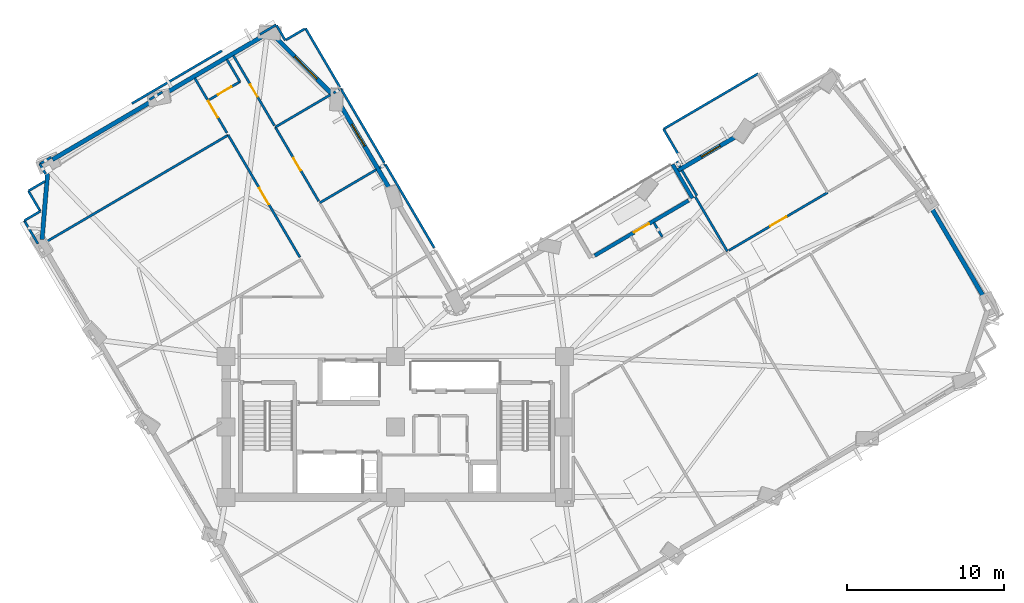
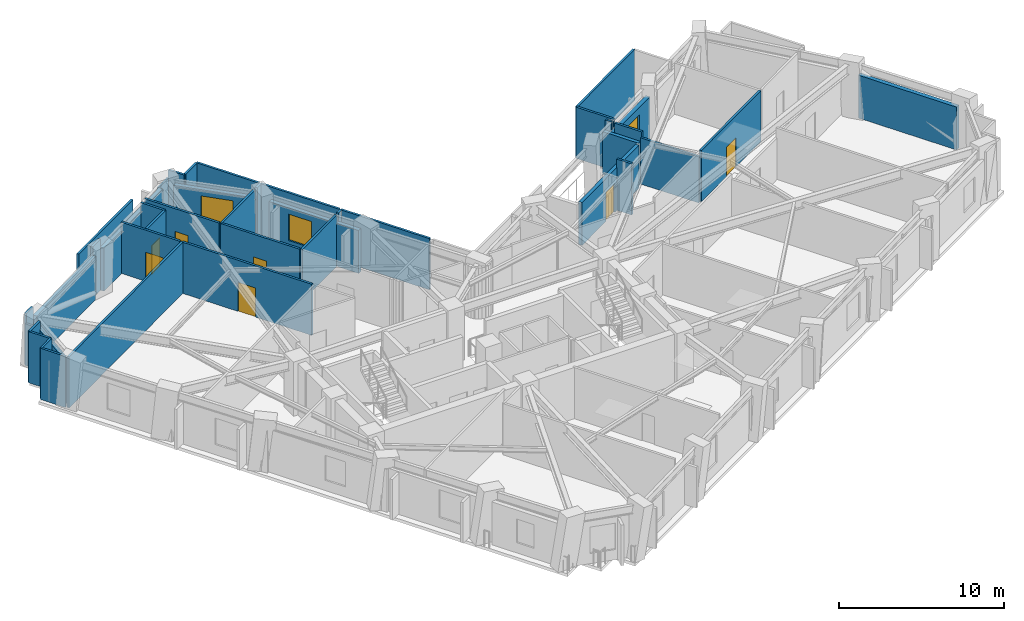
# One storey, part 7 of 12: 41 walls, 7 doors, 3 windows, 10 openings.
"""IFC4 building model written with IfcOpenShell, lengths in metres."""

from ifc_helpers import new_model, si_unit, direction, frame, frame_2d, origin, place, context, subcontext, project, spatial, rectangle, extrude, material, layer, layer_set, type_object, element, fill, save


model = new_model("IFC4")

# Units and contexts
model_context = context("Model", 3, precision=1e-05, world=origin(), true_north=direction((0.0, 1.0)))
body_context = subcontext(model_context, "Body", "Model", "MODEL_VIEW")
ifc_project = project(units=[si_unit("LENGTHUNIT", "METRE"), si_unit("AREAUNIT", "SQUARE_METRE"), si_unit("VOLUMEUNIT", "CUBIC_METRE"), si_unit("PLANEANGLEUNIT", "RADIAN"), si_unit("MASSUNIT", "GRAM", prefix="KILO")], contexts=[model_context])

# Site, building, storey
site_placement = place(None, origin())
site = spatial("IfcSite", under=ifc_project, at=site_placement, CompositionType="ELEMENT")
building_placement = place(site_placement, origin())
building = spatial("IfcBuilding", under=site, at=building_placement, Name="Gaonmaruhae Medical Tower", CompositionType="ELEMENT")
storey_placement = place(building_placement, frame((0.0, 0.0, 153.800048828125)))
storey = spatial("IfcBuildingStorey", under=building, at=storey_placement, Name="L36", CompositionType="ELEMENT", Elevation=153.800048828125)

# Wall, opening, door
ifc_material_1 = material(Name="Precast concrete C45/55", Category="concrete")
ifc_layer_1 = layer(ifc_material_1, 0.239990234375)
ifc_layer_set_1 = layer_set([ifc_layer_1], Name="Precast concrete C45/55")
wall_type_1 = type_object("IfcWallType", Name="EW-240 Ribbon & Shelter Insulated Precast Wall", PredefinedType="SOLIDWALL", material=ifc_layer_set_1)
wall_1_placement = place(storey_placement, frame((37.5068359375, 23.2197265625, 0.0), z_axis=(0.0, 0.0, 1.0), x_axis=(0.862517965363, 0.50602644143, 0.0)))
wall_1 = element("IfcWall", 1, at=wall_1_placement, inside=storey, type_object=wall_type_1, Name="L36 Recessed Terrace Enclosure Wall TERB", PredefinedType="SOLIDWALL", context=body_context, shape_type="SweptSolid", body=[
    extrude(rectangle(XDim=6.9599609375, YDim=0.239990234375, at=frame_2d((3.47998046875, 0.0))), origin(), (0.0, 0.0, 1.0), 3.1650390625),
])
opening_1_placement = place(wall_1_placement, frame((2.929931640625, 0.0, 0.0)))
opening_1 = element("IfcOpeningElement", 2, at=opening_1_placement, cuts=wall_1, Name="Opening TD-01", PredefinedType="OPENING", context=body_context, shape_type="SweptSolid", body=[
    extrude(rectangle(XDim=1.10009765625, YDim=2.14990234375, at=frame_2d((0.550048828125, 1.074951171875))), frame((0.0, 0.1298828125, 0.0), z_axis=(0.0, -1.0, 0.0), x_axis=(1.0, 0.0, 0.0)), (0.0, 0.0, 1.0), 0.260009765625),
])
ifc_material_2 = material(Name="Anodised aluminium and toughened safety glass", Category="aluminium")
door_type_1 = type_object("IfcDoorType", Name="TD-01 Terrace & Sky Garden Glazed Door 1100x2150", OperationType="NOTDEFINED", PredefinedType="DOOR", material=ifc_material_2)
door_1_placement = place(opening_1_placement, origin())
door_1 = element("IfcDoor", 3, at=door_1_placement, inside=storey, type_object=door_type_1, Name="L36 Outdoor Terrace Access Door SLB-L36-TER", OperationType="SINGLE_SWING_RIGHT", OverallHeight=2.14990234375, OverallWidth=1.10009765625, PredefinedType="DOOR", context=body_context, shape_type="SweptSolid", body=[
    extrude(rectangle(XDim=1.10009765625, YDim=2.14990234375, at=frame_2d((0.550048828125, 1.074951171875))), frame((0.0, 0.02490234375, 0.0), z_axis=(0.0, -1.0, 0.0), x_axis=(1.0, 0.0, 0.0)), (0.0, 0.0, 1.0), 0.050048828125),
])
fill(opening_1, door_1)

# Walls
wall_2_placement = place(storey_placement, frame((43.75146484375, 26.88330078125, 0.0), z_axis=(0.0, 0.0, 1.0), x_axis=(-0.506012674175, 0.862526042259, 0.0)))
element("IfcWall", 4, at=wall_2_placement, inside=storey, type_object=wall_type_1, Name="L36 Recessed Terrace Enclosure Wall TERR", PredefinedType="SOLIDWALL", context=body_context, shape_type="SweptSolid", body=[
    extrude(rectangle(XDim=2.500244140625, YDim=0.239990234375, at=frame_2d((1.25, 0.0))), origin(), (0.0, 0.0, 1.0), 3.1650390625),
])
ifc_layer_2 = layer(ifc_material_1, 0.280029296875)
ifc_layer_set_2 = layer_set([ifc_layer_2], Name="Precast concrete C45/55")
wall_type_2 = type_object("IfcWallType", Name="EW-280 Upper Precast Masonry-Frame Facade Wall", PredefinedType="SOLIDWALL", material=ifc_layer_set_2)
wall_3_placement = place(storey_placement, frame((58.879150390625, 26.47265625, 0.0), z_axis=(0.0, 0.0, 1.0), x_axis=(0.506019922132, -0.862521790105, 0.0)))
element("IfcWall", 5, at=wall_3_placement, inside=storey, type_object=wall_type_2, Name="L36 Precast Masonry-Frame Wall E01-E02", PredefinedType="SOLIDWALL", context=body_context, shape_type="SweptSolid", body=[
    extrude(rectangle(XDim=6.840087890625, YDim=0.280029296875, at=frame_2d((3.419921875, 0.0))), origin(), (0.0, 0.0, 1.0), 3.1650390625),
])

# Wall, opening, window
wall_4_placement = place(storey_placement, frame((42.76171875, 28.60986328125, 0.0), z_axis=(0.0, 0.0, 1.0), x_axis=(0.862502800913, 0.506052288224, 0.0)))
wall_4 = element("IfcWall", 6, at=wall_4_placement, inside=storey, type_object=wall_type_2, Name="L36 Precast Masonry-Frame Wall EN01-EN02", PredefinedType="SOLIDWALL", context=body_context, shape_type="SweptSolid", body=[
    extrude(rectangle(XDim=4.499267578125, YDim=0.280029296875, at=frame_2d((2.24951171875, 0.0))), origin(), (0.0, 0.0, 1.0), 3.14501953125),
])
opening_2_placement = place(wall_4_placement, frame((1.803466796875, 0.0, 0.75)))
opening_2 = element("IfcOpeningElement", 7, at=opening_2_placement, cuts=wall_4, Name="Opening WN-03", PredefinedType="OPENING", context=body_context, shape_type="SweptSolid", body=[
    extrude(rectangle(XDim=1.39990234375, YDim=1.85009765625, at=frame_2d((0.699951171875, 0.925048828125))), frame((0.0, 0.14990234375, 0.0), z_axis=(0.0, -1.0, 0.0), x_axis=(1.0, 0.0, 0.0)), (0.0, 0.0, 1.0), 0.300048828125),
])
ifc_material_3 = material(Name="Anodised aluminium and Low-E double glazing", Category="aluminium")
window_type_1 = type_object("IfcWindowType", Name="WN-03 Isolation Ward Punched Window 1400x1850", PartitioningType="SINGLE_PANEL", PredefinedType="WINDOW", material=ifc_material_3)
window_1_placement = place(opening_2_placement, origin())
window_1 = element("IfcWindow", 8, at=window_1_placement, inside=storey, type_object=window_type_1, Name="L36 Modular Facade Window EN01", OverallHeight=1.85009765625, OverallWidth=1.39990234375, PartitioningType="SINGLE_PANEL", PredefinedType="WINDOW", context=body_context, shape_type="SweptSolid", body=[
    extrude(rectangle(XDim=1.39990234375, YDim=1.85009765625, at=frame_2d((0.699951171875, 0.925048828125))), frame((0.0, 0.030029296875, 0.0), z_axis=(0.0, -1.0, 0.0), x_axis=(1.0, 0.0, 0.0)), (0.0, 0.0, 1.0), 0.06005859375),
])
fill(opening_2, window_1)

wall_5_placement = place(storey_placement, frame((24.489990234375, 27.3837890625, 0.0), z_axis=(0.0, 0.0, 1.0), x_axis=(-0.506018502958, 0.862522622697, 0.0)))
wall_5 = element("IfcWall", 9, at=wall_5_placement, inside=storey, type_object=wall_type_2, Name="L36 Precast Masonry-Frame Wall NE01-NE02", PredefinedType="SOLIDWALL", context=body_context, shape_type="SweptSolid", body=[
    extrude(rectangle(XDim=6.222900390625, YDim=0.280029296875, at=frame_2d((3.111328125, 0.0))), origin(), (0.0, 0.0, 1.0), 3.1650390625),
])
opening_3_placement = place(wall_5_placement, frame((3.27392578125, 0.0, 0.75)))
opening_3 = element("IfcOpeningElement", 10, at=opening_3_placement, cuts=wall_5, Name="Opening WN-01", PredefinedType="OPENING", context=body_context, shape_type="SweptSolid", body=[
    extrude(rectangle(XDim=1.60009765625, YDim=1.949951171875, at=frame_2d((0.800048828125, 0.97509765625))), frame((0.0, 0.14990234375, 0.0), z_axis=(0.0, -1.0, 0.0), x_axis=(1.0, 0.0, 0.0)), (0.0, 0.0, 1.0), 0.300048828125),
])
window_type_2 = type_object("IfcWindowType", Name="WN-01 Ward Punched Acoustic Window 1600x1950", PartitioningType="SINGLE_PANEL", PredefinedType="WINDOW", material=ifc_material_3)
window_2_placement = place(opening_3_placement, origin())
window_2 = element("IfcWindow", 11, at=window_2_placement, inside=storey, type_object=window_type_2, Name="L36 Modular Facade Window NE01", OverallHeight=1.949951171875, OverallWidth=1.60009765625, PartitioningType="SINGLE_PANEL", PredefinedType="WINDOW", context=body_context, shape_type="SweptSolid", body=[
    extrude(rectangle(XDim=1.60009765625, YDim=1.949951171875, at=frame_2d((0.800048828125, 0.97509765625))), frame((0.0, 0.030029296875, 0.0), z_axis=(0.0, -1.0, 0.0), x_axis=(1.0, 0.0, 0.0)), (0.0, 0.0, 1.0), 0.06005859375),
])
fill(opening_3, window_2)

wall_6_placement = place(storey_placement, frame((17.160400390625, 37.153564453125, 0.0), z_axis=(0.0, 0.0, 1.0), x_axis=(0.704417095587, -0.709786274483, 0.0)))
wall_6 = element("IfcWall", 12, at=wall_6_placement, inside=storey, type_object=wall_type_2, Name="L36 Precast Masonry-Frame Wall NE02-N01", PredefinedType="SOLIDWALL", context=body_context, shape_type="SweptSolid", body=[
    extrude(rectangle(XDim=5.0927734375, YDim=0.280029296875, at=frame_2d((2.54638671875, 0.0))), origin(), (0.0, 0.0, 1.0), 3.1650390625),
])
opening_4_placement = place(wall_6_placement, frame((1.7294921875, 0.0, 0.75)))
opening_4 = element("IfcOpeningElement", 13, at=opening_4_placement, cuts=wall_6, Name="Opening WN-02", PredefinedType="OPENING", context=body_context, shape_type="SweptSolid", body=[
    extrude(rectangle(XDim=2.0, YDim=1.949951171875, at=frame_2d((1.0, 0.97509765625))), frame((0.0, 0.14990234375, 0.0), z_axis=(0.0, -1.0, 0.0), x_axis=(1.0, 0.0, 0.0)), (0.0, 0.0, 1.0), 0.300048828125),
])
window_type_3 = type_object("IfcWindowType", Name="WN-02 Double-Bed Ward Punched Window 2000x1950", PartitioningType="SINGLE_PANEL", PredefinedType="WINDOW", material=ifc_material_3)
window_3_placement = place(opening_4_placement, origin())
window_3 = element("IfcWindow", 14, at=window_3_placement, inside=storey, type_object=window_type_3, Name="L36 Modular Facade Window NE02", OverallHeight=1.949951171875, OverallWidth=2.0, PartitioningType="SINGLE_PANEL", PredefinedType="WINDOW", context=body_context, shape_type="SweptSolid", body=[
    extrude(rectangle(XDim=2.0, YDim=1.949951171875, at=frame_2d((1.0, 0.97509765625))), frame((0.0, 0.030029296875, 0.0), z_axis=(0.0, -1.0, 0.0), x_axis=(1.0, 0.0, 0.0)), (0.0, 0.0, 1.0), 0.06005859375),
])
fill(opening_4, window_3)

# Walls
wall_7_placement = place(storey_placement, frame((10.015380859375, 33.51318359375, 0.0), z_axis=(0.0, 0.0, 1.0), x_axis=(0.862501326744, 0.506054800753, 0.0)))
element("IfcWall", 15, at=wall_7_placement, inside=storey, type_object=wall_type_2, Name="L36 Precast Masonry-Frame Wall N01-N02", PredefinedType="SOLIDWALL", context=body_context, shape_type="SweptSolid", body=[
    extrude(rectangle(XDim=7.230712890625, YDim=0.280029296875, at=frame_2d((3.615234375, 0.0))), origin(), (0.0, 0.0, 1.0), 3.1650390625),
])
wall_8_placement = place(storey_placement, frame((2.921630859375, 29.3515625, 0.0), z_axis=(0.0, 0.0, 1.0), x_axis=(0.862524124062, 0.506015943831, 0.0)))
element("IfcWall", 16, at=wall_8_placement, inside=storey, type_object=wall_type_2, Name="L36 Precast Masonry-Frame Wall N02-N03", PredefinedType="SOLIDWALL", context=body_context, shape_type="SweptSolid", body=[
    extrude(rectangle(XDim=7.27001953125, YDim=0.280029296875, at=frame_2d((3.635009765625, 0.0))), origin(), (0.0, 0.0, 1.0), 3.1650390625),
])
wall_9_placement = place(storey_placement, frame((2.252197265625, 24.255615234375, 0.0), z_axis=(0.0, 0.0, 1.0), x_axis=(0.083957153569, 0.996469365492, 0.0)))
element("IfcWall", 17, at=wall_9_placement, inside=storey, type_object=wall_type_2, Name="L36 Precast Masonry-Frame Wall N03-W01", PredefinedType="SOLIDWALL", context=body_context, shape_type="SweptSolid", body=[
    extrude(rectangle(XDim=4.210693359375, YDim=0.280029296875, at=frame_2d((2.10546875, 0.0))), origin(), (0.0, 0.0, 1.0), 3.1650390625),
])
ifc_material_4 = material(Name="Gypsum board partition", Category="gypsum")
ifc_layer_3 = layer(ifc_material_4, 0.14990234375)
ifc_layer_set_3 = layer_set([ifc_layer_3], Name="Gypsum board partition")
wall_type_3 = type_object("IfcWallType", Name="PW-150 Rated Clinical Corridor Partition", PredefinedType="PARTITIONING", material=ifc_layer_set_3)
wall_10_placement = place(storey_placement, frame((2.072021484375, 23.839111328125, 0.0), z_axis=(0.0, 0.0, 1.0), x_axis=(0.862523991111, 0.506016170452, 0.0)))
element("IfcWall", 18, at=wall_10_placement, inside=storey, type_object=wall_type_3, Name="L36 Interior Partition L36-WOF10-45", PredefinedType="PARTITIONING", context=body_context, shape_type="SweptSolid", body=[
    extrude(rectangle(XDim=13.979736328125, YDim=0.14990234375, at=frame_2d((6.98974609375, 0.0))), origin(), (0.0, 0.0, 1.0), 3.780029296875),
])

# Wall, opening, door
wall_11_placement = place(storey_placement, frame((14.1298828125, 30.9130859375, 0.0), z_axis=(0.0, 0.0, 1.0), x_axis=(0.506007110353, -0.862529306327, 0.0)))
wall_11 = element("IfcWall", 19, at=wall_11_placement, inside=storey, type_object=wall_type_3, Name="L36 Interior Partition L36-WOF10-46", PredefinedType="PARTITIONING", context=body_context, shape_type="SweptSolid", body=[
    extrude(rectangle(XDim=9.039794921875, YDim=0.14990234375, at=frame_2d((4.52001953125, 0.0))), origin(), (0.0, 0.0, 1.0), 3.780029296875),
])
opening_5_placement = place(wall_11_placement, frame((3.919921875, 0.0, 0.0)))
opening_5 = element("IfcOpeningElement", 20, at=opening_5_placement, cuts=wall_11, Name="Opening CD-02", PredefinedType="OPENING", context=body_context, shape_type="SweptSolid", body=[
    extrude(rectangle(XDim=1.199951171875, YDim=2.14990234375, at=frame_2d((0.60009765625, 1.074951171875))), frame((0.0, 0.0849609375, 0.0), z_axis=(0.0, -1.0, 0.0), x_axis=(1.0, 0.0, 0.0)), (0.0, 0.0, 1.0), 0.169921875),
])
ifc_material_5 = material(Name="Antimicrobial laminate timber fire door", Category="wood")
door_type_2 = type_object("IfcDoorType", Name="CD-02 Clinical Treatment & Procedure Door 1200x2150", OperationType="NOTDEFINED", PredefinedType="DOOR", material=ifc_material_5)
door_2_placement = place(opening_5_placement, origin())
door_2 = element("IfcDoor", 21, at=door_2_placement, inside=storey, type_object=door_type_2, Name="L36 Ward Physician Reporting Office Door", OperationType="SINGLE_SWING_LEFT", OverallHeight=2.14990234375, OverallWidth=1.199951171875, PredefinedType="DOOR", context=body_context, shape_type="SweptSolid", body=[
    extrude(rectangle(XDim=1.199951171875, YDim=2.14990234375, at=frame_2d((0.60009765625, 1.074951171875))), frame((0.0, 0.02490234375, 0.0), z_axis=(0.0, -1.0, 0.0), x_axis=(1.0, 0.0, 0.0)), (0.0, 0.0, 1.0), 0.050048828125),
])
fill(opening_5, door_2)

# Walls
wall_12_placement = place(storey_placement, frame((1.382080078125, 27.346923828125, 0.0), z_axis=(0.0, 0.0, 1.0), x_axis=(0.862273562312, 0.506442794142, 0.0)))
element("IfcWall", 22, at=wall_12_placement, inside=storey, type_object=wall_type_3, Name="L36 Interior Partition L36-WOF11-49", PredefinedType="PARTITIONING", context=body_context, shape_type="SweptSolid", body=[
    extrude(rectangle(XDim=1.238525390625, YDim=0.14990234375, at=frame_2d((0.619140625, 0.0))), origin(), (0.0, 0.0, 1.0), 3.780029296875),
])
wall_13_placement = place(storey_placement, frame((2.488037109375, 28.426025390625, 0.0), z_axis=(0.0, 0.0, 1.0), x_axis=(-0.506179488708, 0.86242815655, 0.0)))
element("IfcWall", 23, at=wall_13_placement, inside=storey, type_object=wall_type_3, Name="L36 Interior Partition L36-WOF11-50", PredefinedType="PARTITIONING", context=body_context, shape_type="SweptSolid", body=[
    extrude(rectangle(XDim=0.7490234375, YDim=0.14990234375, at=frame_2d((0.37451171875, 0.0))), origin(), (0.0, 0.0, 1.0), 3.06494140625),
])
wall_14_placement = place(storey_placement, frame((2.10888671875, 29.072021484375, 0.0), z_axis=(0.0, 0.0, 1.0), x_axis=(0.862789487329, 0.505563349694, 0.0)))
element("IfcWall", 24, at=wall_14_placement, inside=storey, type_object=wall_type_3, Name="L36 Interior Partition L36-WOF11-51", PredefinedType="PARTITIONING", context=body_context, shape_type="SweptSolid", body=[
    extrude(rectangle(XDim=0.8427734375, YDim=0.14990234375, at=frame_2d((0.42138671875, 0.0))), origin(), (0.0, 0.0, 1.0), 3.780029296875),
])
wall_15_placement = place(storey_placement, frame((9.10595703125, 33.177001953125, 0.0), z_axis=(0.0, 0.0, 1.0), x_axis=(0.862486191726, 0.506080595442, 0.0)))
element("IfcWall", 25, at=wall_15_placement, inside=storey, type_object=wall_type_3, Name="L36 Interior Partition L36-WOF11-52", PredefinedType="PARTITIONING", context=body_context, shape_type="SweptSolid", body=[
    extrude(rectangle(XDim=0.9541015625, YDim=0.14990234375, at=frame_2d((0.47705078125, 0.0))), origin(), (0.0, 0.0, 1.0), 3.780029296875),
])

# Wall, opening, door
wall_16_placement = place(storey_placement, frame((11.9990234375, 34.5439453125, 0.0), z_axis=(0.0, 0.0, 1.0), x_axis=(0.506174252811, -0.862431229601, 0.0)))
wall_16 = element("IfcWall", 26, at=wall_16_placement, inside=storey, type_object=wall_type_3, Name="L36 Interior Partition L36-WOF11-53", PredefinedType="PARTITIONING", context=body_context, shape_type="SweptSolid", body=[
    extrude(rectangle(XDim=4.050048828125, YDim=0.14990234375, at=frame_2d((2.02490234375, 0.0))), origin(), (0.0, 0.0, 1.0), 3.780029296875),
])
opening_6_placement = place(wall_16_placement, frame((1.699951171875, 0.0, 0.0)))
opening_6 = element("IfcOpeningElement", 27, at=opening_6_placement, cuts=wall_16, Name="Opening CD-02", PredefinedType="OPENING", context=body_context, shape_type="SweptSolid", body=[
    extrude(rectangle(XDim=1.199951171875, YDim=2.14990234375, at=frame_2d((0.60009765625, 1.074951171875))), frame((0.0, 0.0849609375, 0.0), z_axis=(0.0, -1.0, 0.0), x_axis=(1.0, 0.0, 0.0)), (0.0, 0.0, 1.0), 0.169921875),
])
door_3_placement = place(opening_6_placement, origin())
door_3 = element("IfcDoor", 28, at=door_3_placement, inside=storey, type_object=door_type_2, Name="L36 Ward Physician Reporting Office Door", OperationType="SINGLE_SWING_LEFT", OverallHeight=2.14990234375, OverallWidth=1.199951171875, PredefinedType="DOOR", context=body_context, shape_type="SweptSolid", body=[
    extrude(rectangle(XDim=1.199951171875, YDim=2.14990234375, at=frame_2d((0.60009765625, 1.074951171875))), frame((0.0, 0.02490234375, 0.0), z_axis=(0.0, -1.0, 0.0), x_axis=(1.0, 0.0, 0.0)), (0.0, 0.0, 1.0), 0.050048828125),
])
fill(opening_6, door_3)

# Walls
wall_17_placement = place(storey_placement, frame((1.990966796875, 23.97705078125, 0.0), z_axis=(0.0, 0.0, 1.0), x_axis=(-0.506117697831, 0.862464420102, 0.0)))
element("IfcWall", 29, at=wall_17_placement, inside=storey, type_object=wall_type_3, Name="L36 Interior Partition L36-WOF11-54", PredefinedType="PARTITIONING", context=body_context, shape_type="SweptSolid", body=[
    extrude(rectangle(XDim=1.71484375, YDim=0.14990234375, at=frame_2d((0.857421875, 0.0))), origin(), (0.0, 0.0, 1.0), 3.780029296875),
])
wall_18_placement = place(storey_placement, frame((1.123046875, 25.4560546875, 0.0), z_axis=(0.0, 0.0, 1.0), x_axis=(0.862651283186, 0.505799133667, 0.0)))
element("IfcWall", 30, at=wall_18_placement, inside=storey, type_object=wall_type_3, Name="L36 Interior Partition L36-WOF11-55", PredefinedType="PARTITIONING", context=body_context, shape_type="SweptSolid", body=[
    extrude(rectangle(XDim=1.18017578125, YDim=0.14990234375, at=frame_2d((0.590087890625, 0.0))), origin(), (0.0, 0.0, 1.0), 3.780029296875),
])
wall_19_placement = place(storey_placement, frame((2.14111328125, 26.052978515625, 0.0), z_axis=(0.0, 0.0, 1.0), x_axis=(-0.50597425282, 0.86254858152, 0.0)))
element("IfcWall", 31, at=wall_19_placement, inside=storey, type_object=wall_type_3, Name="L36 Interior Partition L36-WOF11-56", PredefinedType="PARTITIONING", context=body_context, shape_type="SweptSolid", body=[
    extrude(rectangle(XDim=1.500244140625, YDim=0.14990234375, at=frame_2d((0.75, 0.0))), origin(), (0.0, 0.0, 1.0), 3.780029296875),
])
wall_20_placement = place(storey_placement, frame((41.822998046875, 24.4189453125, 0.0), z_axis=(0.0, 0.0, 1.0), x_axis=(-0.505309547825, 0.862938155882, 0.0)))
element("IfcWall", 32, at=wall_20_placement, inside=storey, type_object=wall_type_3, Name="L36 Interior Partition L36-IE02-73", PredefinedType="PARTITIONING", context=body_context, shape_type="SweptSolid", body=[
    extrude(rectangle(XDim=1.0546875, YDim=0.14990234375, at=frame_2d((0.52734375, 0.0))), origin(), (0.0, 0.0, 1.0), 3.780029296875),
])
wall_21_placement = place(storey_placement, frame((43.927978515625, 26.987060546875, 0.0), z_axis=(0.0, 0.0, 1.0), x_axis=(0.506147939122, -0.862446672973, 0.0)))
element("IfcWall", 33, at=wall_21_placement, inside=storey, type_object=wall_type_3, Name="L36 Interior Partition L36-IE02-74", PredefinedType="PARTITIONING", context=body_context, shape_type="SweptSolid", body=[
    extrude(rectangle(XDim=4.05029296875, YDim=0.14990234375, at=frame_2d((2.025146484375, 0.0))), origin(), (0.0, 0.0, 1.0), 3.4150390625),
])
wall_22_placement = place(storey_placement, frame((41.905029296875, 31.2958984375, 0.0), z_axis=(0.0, 0.0, 1.0), x_axis=(0.862520840706, 0.506021540399, 0.0)))
element("IfcWall", 34, at=wall_22_placement, inside=storey, type_object=wall_type_3, Name="L36 Interior Partition L36-IE03-78", PredefinedType="PARTITIONING", context=body_context, shape_type="SweptSolid", body=[
    extrude(rectangle(XDim=6.989990234375, YDim=0.14990234375, at=frame_2d((3.4951171875, 0.0))), origin(), (0.0, 0.0, 1.0), 3.780029296875),
])

# Wall, opening, door
wall_23_placement = place(storey_placement, frame((52.382080078125, 27.2509765625, 0.0), z_axis=(0.0, 0.0, 1.0), x_axis=(-0.862558161186, -0.50595792174, 0.0)))
wall_23 = element("IfcWall", 35, at=wall_23_placement, inside=storey, type_object=wall_type_3, Name="L36 Interior Partition L36-IE03-81", PredefinedType="PARTITIONING", context=body_context, shape_type="SweptSolid", body=[
    extrude(rectangle(XDim=7.304931640625, YDim=0.14990234375, at=frame_2d((3.65234375, 0.0))), origin(), (0.0, 0.0, 1.0), 3.780029296875),
])
opening_7_placement = place(wall_23_placement, frame((3.052490234375, 0.0, 0.0)))
opening_7 = element("IfcOpeningElement", 36, at=opening_7_placement, cuts=wall_23, Name="Opening CD-02", PredefinedType="OPENING", context=body_context, shape_type="SweptSolid", body=[
    extrude(rectangle(XDim=1.199951171875, YDim=2.14990234375, at=frame_2d((0.60009765625, 1.074951171875))), frame((0.0, 0.0849609375, 0.0), z_axis=(0.0, -1.0, 0.0), x_axis=(1.0, 0.0, 0.0)), (0.0, 0.0, 1.0), 0.169921875),
])
door_4_placement = place(opening_7_placement, origin())
door_4 = element("IfcDoor", 37, at=door_4_placement, inside=storey, type_object=door_type_2, Name="L36 Clean Medication Preparation Room Door", OperationType="SINGLE_SWING_RIGHT", OverallHeight=2.14990234375, OverallWidth=1.199951171875, PredefinedType="DOOR", context=body_context, shape_type="SweptSolid", body=[
    extrude(rectangle(XDim=1.199951171875, YDim=2.14990234375, at=frame_2d((0.60009765625, 1.074951171875))), frame((0.0, 0.02490234375, 0.0), z_axis=(0.0, -1.0, 0.0), x_axis=(1.0, 0.0, 0.0)), (0.0, 0.0, 1.0), 0.050048828125),
])
fill(opening_7, door_4)

# Walls
wall_24_placement = place(storey_placement, frame((44.031982421875, 27.048095703125, 0.0), z_axis=(0.0, 0.0, 1.0), x_axis=(-0.506160564265, 0.862439263475, 0.0)))
element("IfcWall", 38, at=wall_24_placement, inside=storey, type_object=wall_type_3, Name="L36 Interior Partition L36-IE03-82", PredefinedType="PARTITIONING", context=body_context, shape_type="SweptSolid", body=[
    extrude(rectangle(XDim=1.874755859375, YDim=0.14990234375, at=frame_2d((0.9375, 0.0))), origin(), (0.0, 0.0, 1.0), 3.780029296875),
])
wall_25_placement = place(storey_placement, frame((42.966064453125, 28.863037109375, 0.0), z_axis=(0.0, 0.0, 1.0), x_axis=(-0.504985742668, 0.863127684472, 0.0)))
element("IfcWall", 39, at=wall_25_placement, inside=storey, type_object=wall_type_3, Name="L36 Interior Partition L36-IE03-83", PredefinedType="PARTITIONING", context=body_context, shape_type="SweptSolid", body=[
    extrude(rectangle(XDim=0.435546875, YDim=0.14990234375, at=frame_2d((0.2177734375, 0.0))), origin(), (0.0, 0.0, 1.0), 3.780029296875),
])
wall_26_placement = place(storey_placement, frame((43.215087890625, 29.06201171875, 0.0), z_axis=(0.0, 0.0, 1.0), x_axis=(-0.505874334541, 0.862607186182, 0.0)))
element("IfcWall", 40, at=wall_26_placement, inside=storey, type_object=wall_type_3, Name="L36 Interior Partition L36-IE03-84", PredefinedType="PARTITIONING", context=body_context, shape_type="SweptSolid", body=[
    extrude(rectangle(XDim=2.589599609375, YDim=0.14990234375, at=frame_2d((1.294921875, 0.0))), origin(), (0.0, 0.0, 1.0), 3.780029296875),
])
wall_27_placement = place(storey_placement, frame((19.970947265625, 26.589111328125, 0.0), z_axis=(0.0, 0.0, 1.0), x_axis=(0.86252592409, 0.506012875599, 0.0)))
element("IfcWall", 41, at=wall_27_placement, inside=storey, type_object=wall_type_3, Name="L36 Interior Partition L36-IN01-92", PredefinedType="PARTITIONING", context=body_context, shape_type="SweptSolid", body=[
    extrude(rectangle(XDim=4.185546875, YDim=0.14990234375, at=frame_2d((2.0927734375, 0.0))), origin(), (0.0, 0.0, 1.0), 3.780029296875),
])
wall_28_placement = place(storey_placement, frame((23.779052734375, 28.822998046875, 0.0), z_axis=(0.0, 0.0, 1.0), x_axis=(0.862554315404, 0.505964477981, 0.0)))
element("IfcWall", 42, at=wall_28_placement, inside=storey, type_object=wall_type_3, Name="L36 Interior Partition L36-IN01-93", PredefinedType="PARTITIONING", context=body_context, shape_type="SweptSolid", body=[
    extrude(rectangle(XDim=0.434814453125, YDim=0.14990234375, at=frame_2d((0.21728515625, 0.0))), origin(), (0.0, 0.0, 1.0), 3.780029296875),
])
wall_29_placement = place(storey_placement, frame((24.154052734375, 29.04296875, 0.0), z_axis=(0.0, 0.0, 1.0), x_axis=(0.506011476282, -0.862526745018, 0.0)))
element("IfcWall", 43, at=wall_29_placement, inside=storey, type_object=wall_type_3, Name="L36 Interior Partition L36-IN01-94", PredefinedType="PARTITIONING", context=body_context, shape_type="SweptSolid", body=[
    extrude(rectangle(XDim=6.1796875, YDim=0.14990234375, at=frame_2d((3.08984375, 0.0))), origin(), (0.0, 0.0, 1.0), 3.780029296875),
])

# Wall, opening, door
wall_30_placement = place(storey_placement, frame((19.909912109375, 26.693115234375, 0.0), z_axis=(0.0, 0.0, 1.0), x_axis=(-0.506077370403, 0.862488084072, 0.0)))
wall_30 = element("IfcWall", 44, at=wall_30_placement, inside=storey, type_object=wall_type_3, Name="L36 Interior Partition L36-IN02-95", PredefinedType="PARTITIONING", context=body_context, shape_type="SweptSolid", body=[
    extrude(rectangle(XDim=5.479248046875, YDim=0.14990234375, at=frame_2d((2.73974609375, 0.0))), origin(), (0.0, 0.0, 1.0), 3.780029296875),
])
opening_8_placement = place(wall_30_placement, frame((2.27978515625, 0.0, 0.0)))
opening_8 = element("IfcOpeningElement", 45, at=opening_8_placement, cuts=wall_30, Name="Opening UD-01", PredefinedType="OPENING", context=body_context, shape_type="SweptSolid", body=[
    extrude(rectangle(XDim=0.919921875, YDim=2.10009765625, at=frame_2d((0.4599609375, 1.050048828125))), frame((0.0, 0.0849609375, 0.0), z_axis=(0.0, -1.0, 0.0), x_axis=(1.0, 0.0, 0.0)), (0.0, 0.0, 1.0), 0.169921875),
])
ifc_material_6 = material(Name="Powder-coated steel utility door", Category="steel")
door_type_3 = type_object("IfcDoorType", Name="UD-01 Toilet, Utility & Housekeeping Door 920x2100", OperationType="NOTDEFINED", PredefinedType="DOOR", material=ifc_material_6)
door_5_placement = place(opening_8_placement, origin())
door_5 = element("IfcDoor", 46, at=door_5_placement, inside=storey, type_object=door_type_3, Name="L36 Ward Nutrition Pantry Door", OperationType="SINGLE_SWING_LEFT", OverallHeight=2.10009765625, OverallWidth=0.919921875, PredefinedType="DOOR", context=body_context, shape_type="SweptSolid", body=[
    extrude(rectangle(XDim=0.919921875, YDim=2.10009765625, at=frame_2d((0.4599609375, 1.050048828125))), frame((0.0, 0.02490234375, 0.0), z_axis=(0.0, -1.0, 0.0), x_axis=(1.0, 0.0, 0.0)), (0.0, 0.0, 1.0), 0.050048828125),
])
fill(opening_8, door_5)

# Walls
wall_31_placement = place(storey_placement, frame((17.136962890625, 31.4189453125, 0.0), z_axis=(0.0, 0.0, 1.0), x_axis=(0.862476712349, 0.506096750292, 0.0)))
element("IfcWall", 47, at=wall_31_placement, inside=storey, type_object=wall_type_3, Name="L36 Interior Partition L36-IN02-96", PredefinedType="PARTITIONING", context=body_context, shape_type="SweptSolid", body=[
    extrude(rectangle(XDim=4.068603515625, YDim=0.14990234375, at=frame_2d((2.0341796875, 0.0))), origin(), (0.0, 0.0, 1.0), 3.780029296875),
])
wall_32_placement = place(storey_placement, frame((20.847900390625, 33.595947265625, 0.0), z_axis=(0.0, 0.0, 1.0), x_axis=(0.862449638913, 0.506142885298, 0.0)))
element("IfcWall", 48, at=wall_32_placement, inside=storey, type_object=wall_type_3, Name="L36 Interior Partition L36-IN02-97", PredefinedType="PARTITIONING", context=body_context, shape_type="SweptSolid", body=[
    extrude(rectangle(XDim=0.54736328125, YDim=0.14990234375, at=frame_2d((0.273681640625, 0.0))), origin(), (0.0, 0.0, 1.0), 3.780029296875),
])
wall_33_placement = place(storey_placement, frame((21.320068359375, 33.873046875, 0.0), z_axis=(0.0, 0.0, 1.0), x_axis=(0.506057922568, -0.862499495076, 0.0)))
element("IfcWall", 49, at=wall_33_placement, inside=storey, type_object=wall_type_3, Name="L36 Interior Partition L36-IN02-98", PredefinedType="PARTITIONING", context=body_context, shape_type="SweptSolid", body=[
    extrude(rectangle(XDim=5.4794921875, YDim=0.14990234375, at=frame_2d((2.73974609375, 0.0))), origin(), (0.0, 0.0, 1.0), 3.780029296875),
])
wall_34_placement = place(storey_placement, frame((19.06298828125, 37.719970703125, 0.0), z_axis=(0.0, 0.0, 1.0), x_axis=(0.50604865204, -0.862504934344, 0.0)))
element("IfcWall", 50, at=wall_34_placement, inside=storey, type_object=wall_type_3, Name="L36 Interior Partition L36-IN03-99", PredefinedType="PARTITIONING", context=body_context, shape_type="SweptSolid", body=[
    extrude(rectangle(XDim=4.339599609375, YDim=0.14990234375, at=frame_2d((2.169921875, 0.0))), origin(), (0.0, 0.0, 1.0), 3.780029296875),
])

# Wall, opening, door
wall_35_placement = place(storey_placement, frame((17.075927734375, 31.52294921875, 0.0), z_axis=(0.0, 0.0, 1.0), x_axis=(-0.506089954955, 0.86248069978, 0.0)))
wall_35 = element("IfcWall", 51, at=wall_35_placement, inside=storey, type_object=wall_type_3, Name="L36 Interior Partition L36-IN03-100", PredefinedType="PARTITIONING", context=body_context, shape_type="SweptSolid", body=[
    extrude(rectangle(XDim=5.1748046875, YDim=0.14990234375, at=frame_2d((2.58740234375, 0.0))), origin(), (0.0, 0.0, 1.0), 3.780029296875),
])
opening_9_placement = place(wall_35_placement, frame((2.12744140625, 0.0, 0.0)))
opening_9 = element("IfcOpeningElement", 52, at=opening_9_placement, cuts=wall_35, Name="Opening UD-01", PredefinedType="OPENING", context=body_context, shape_type="SweptSolid", body=[
    extrude(rectangle(XDim=0.919921875, YDim=2.10009765625, at=frame_2d((0.4599609375, 1.050048828125))), frame((0.0, 0.0849609375, 0.0), z_axis=(0.0, -1.0, 0.0), x_axis=(1.0, 0.0, 0.0)), (0.0, 0.0, 1.0), 0.169921875),
])
door_6_placement = place(opening_9_placement, origin())
door_6 = element("IfcDoor", 53, at=door_6_placement, inside=storey, type_object=door_type_3, Name="L36 Public Visitor Toilet Door", OperationType="SINGLE_SWING_LEFT", OverallHeight=2.10009765625, OverallWidth=0.919921875, PredefinedType="DOOR", context=body_context, shape_type="SweptSolid", body=[
    extrude(rectangle(XDim=0.919921875, YDim=2.10009765625, at=frame_2d((0.4599609375, 1.050048828125))), frame((0.0, 0.02490234375, 0.0), z_axis=(0.0, -1.0, 0.0), x_axis=(1.0, 0.0, 0.0)), (0.0, 0.0, 1.0), 0.050048828125),
])
fill(opening_9, door_6)

# Walls
wall_36_placement = place(storey_placement, frame((16.156005859375, 37.3359375, 0.0), z_axis=(0.0, 0.0, 1.0), x_axis=(0.862273197532, 0.506443415217, 0.0)))
element("IfcWall", 54, at=wall_36_placement, inside=storey, type_object=wall_type_3, Name="L36 Interior Partition L36-IN03-101", PredefinedType="PARTITIONING", context=body_context, shape_type="SweptSolid", body=[
    extrude(rectangle(XDim=1.202880859375, YDim=0.14990234375, at=frame_2d((0.6015625, 0.0))), origin(), (0.0, 0.0, 1.0), 3.1650390625),
])
wall_37_placement = place(storey_placement, frame((17.218017578125, 37.902099609375, 0.0), z_axis=(0.0, 0.0, 1.0), x_axis=(0.505914729654, -0.862583495274, 0.0)))
element("IfcWall", 55, at=wall_37_placement, inside=storey, type_object=wall_type_3, Name="L36 Interior Partition L36-IN03-102", PredefinedType="PARTITIONING", context=body_context, shape_type="SweptSolid", body=[
    extrude(rectangle(XDim=1.091064453125, YDim=0.14990234375, at=frame_2d((0.54541015625, 0.0))), origin(), (0.0, 0.0, 1.0), 3.780029296875),
])
wall_38_placement = place(storey_placement, frame((17.81298828125, 36.986083984375, 0.0), z_axis=(0.0, 0.0, 1.0), x_axis=(0.862256846082, 0.506471254252, 0.0)))
element("IfcWall", 56, at=wall_38_placement, inside=storey, type_object=wall_type_3, Name="L36 Interior Partition L36-IN03-103", PredefinedType="PARTITIONING", context=body_context, shape_type="SweptSolid", body=[
    extrude(rectangle(XDim=1.39990234375, YDim=0.14990234375, at=frame_2d((0.699951171875, 0.0))), origin(), (0.0, 0.0, 1.0), 3.780029296875),
])
wall_39_placement = place(storey_placement, frame((7.9951171875, 32.930908203125, 0.0), z_axis=(0.0, 0.0, 1.0), x_axis=(0.86249986981, 0.506057283889, 0.0)))
element("IfcWall", 57, at=wall_39_placement, inside=storey, type_object=wall_type_3, Name="L36 Interior Partition L36-RM01-104", PredefinedType="PARTITIONING", context=body_context, shape_type="SweptSolid", body=[
    extrude(rectangle(XDim=6.639892578125, YDim=0.14990234375, at=frame_2d((3.31982421875, 0.0))), origin(), (0.0, 0.0, 1.0), 3.780029296875),
])
wall_40_placement = place(storey_placement, frame((14.04296875, 35.742919921875, 0.0), z_axis=(0.0, 0.0, 1.0), x_axis=(0.50644622965, -0.862271544511, 0.0)))
element("IfcWall", 58, at=wall_40_placement, inside=storey, type_object=wall_type_3, Name="L36 Interior Partition L36-RM01-105", PredefinedType="PARTITIONING", context=body_context, shape_type="SweptSolid", body=[
    extrude(rectangle(XDim=1.655029296875, YDim=0.14990234375, at=frame_2d((0.82763671875, 0.0))), origin(), (0.0, 0.0, 1.0), 3.780029296875),
])

# Wall, opening, door
wall_41_placement = place(storey_placement, frame((14.881103515625, 34.31591796875, 0.0), z_axis=(0.0, 0.0, 1.0), x_axis=(-0.862481095213, -0.506089281056, 0.0)))
wall_41 = element("IfcWall", 59, at=wall_41_placement, inside=storey, type_object=wall_type_3, Name="L36 Interior Partition L36-RM01-106", PredefinedType="PARTITIONING", context=body_context, shape_type="SweptSolid", body=[
    extrude(rectangle(XDim=2.270263671875, YDim=0.14990234375, at=frame_2d((1.13525390625, 0.0))), origin(), (0.0, 0.0, 1.0), 3.780029296875),
])
opening_10_placement = place(wall_41_placement, frame((0.635009765625, 0.0, 0.0)))
opening_10 = element("IfcOpeningElement", 60, at=opening_10_placement, cuts=wall_41, Name="Opening CD-01", PredefinedType="OPENING", context=body_context, shape_type="SweptSolid", body=[
    extrude(rectangle(XDim=1.0, YDim=2.1201171875, at=frame_2d((0.5, 1.06005859375))), frame((0.0, 0.0849609375, 0.0), z_axis=(0.0, -1.0, 0.0), x_axis=(1.0, 0.0, 0.0)), (0.0, 0.0, 1.0), 0.169921875),
])
door_type_4 = type_object("IfcDoorType", Name="CD-01 Consultation & Physician Office Door 1000x2120", OperationType="NOTDEFINED", PredefinedType="DOOR", material=ifc_material_5)
door_7_placement = place(opening_10_placement, origin())
door_7 = element("IfcDoor", 61, at=door_7_placement, inside=storey, type_object=door_type_4, Name="L36 Clinical Case Review Office Door", OperationType="SINGLE_SWING_LEFT", OverallHeight=2.1201171875, OverallWidth=1.0, PredefinedType="DOOR", context=body_context, shape_type="SweptSolid", body=[
    extrude(rectangle(XDim=1.0, YDim=2.1201171875, at=frame_2d((0.5, 1.06005859375))), frame((0.0, 0.02490234375, 0.0), z_axis=(0.0, -1.0, 0.0), x_axis=(1.0, 0.0, 0.0)), (0.0, 0.0, 1.0), 0.050048828125),
])
fill(opening_10, door_7)

save(model, "model.ifc")
